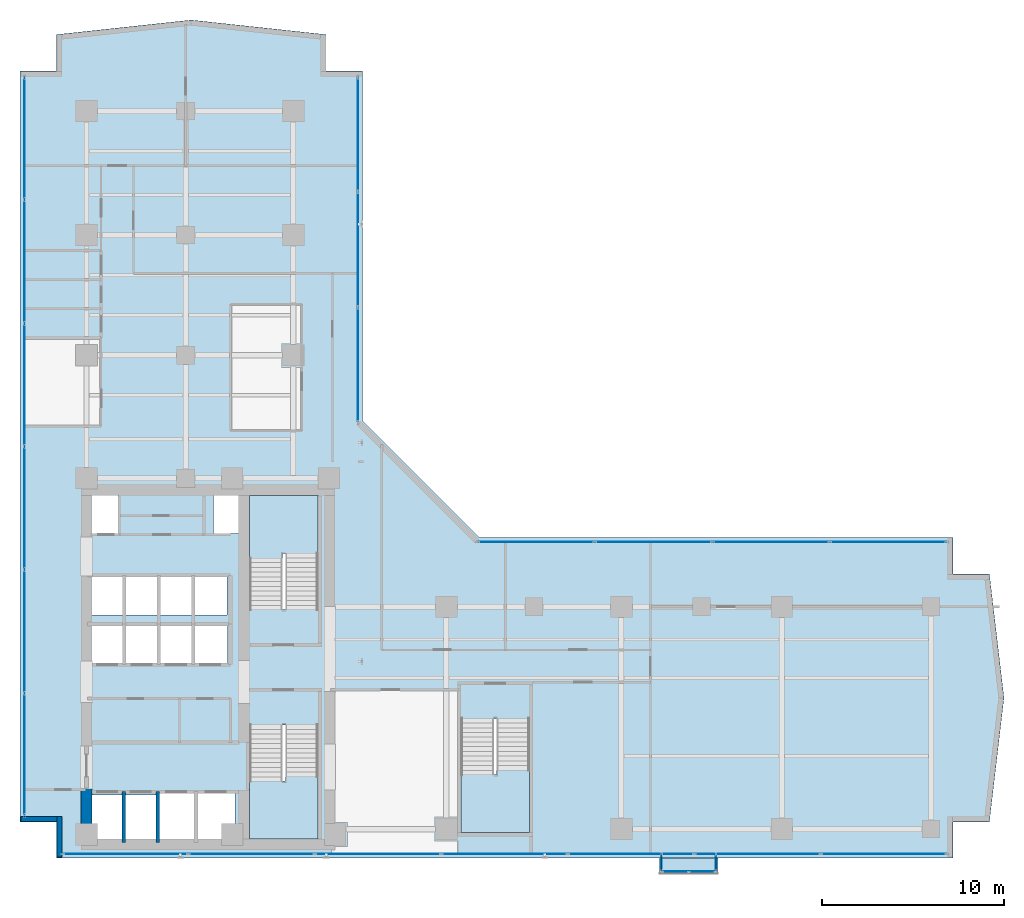
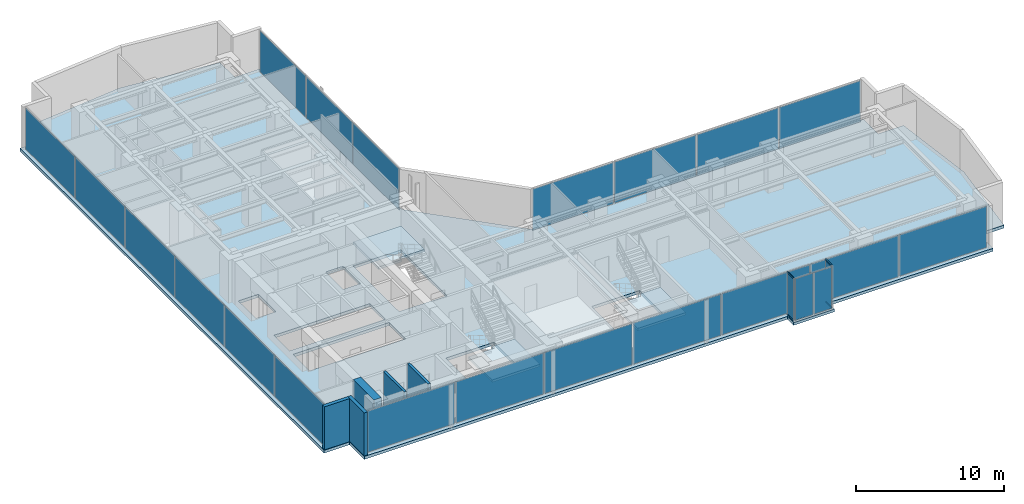
# One storey, part 18 of 26: 24 plates, 5 slabs, 5 walls, 4 members, 10 elements without a shape of their own.
"""IFC4 building model written with IfcOpenShell, lengths in metres."""

from ifc_helpers import new_model, si_unit, direction, frame, frame_2d, origin, origin_with_axes, origin_2d, place, context, subcontext, project, spatial, polyline, rectangle, hollow_rectangle, outline, extrude, source, transform, mapped, material, layer, layer_set, material_profile, profile_set, type_object, element, aggregate, save


model = new_model("IFC4")

# Units and contexts
model_context = context("Model", 3, precision=1e-05, world=origin(), true_north=direction((0.0, 1.0)))
body_context = subcontext(model_context, "Body", "Model", "MODEL_VIEW")
ifc_project = project(units=[si_unit("LENGTHUNIT", "METRE"), si_unit("AREAUNIT", "SQUARE_METRE"), si_unit("VOLUMEUNIT", "CUBIC_METRE"), si_unit("PLANEANGLEUNIT", "RADIAN"), si_unit("MASSUNIT", "GRAM", prefix="KILO")], contexts=[model_context])

# Site, building, storey
site_placement = place(None, origin())
site = spatial("IfcSite", under=ifc_project, at=site_placement, CompositionType="ELEMENT")
building_placement = place(site_placement, origin())
building = spatial("IfcBuilding", under=site, at=building_placement, Name="Kolvaren Waterfront Exchange", CompositionType="ELEMENT")
storey_placement = place(building_placement, frame((0.0, 0.0, 180.39990234375)))
storey = spatial("IfcBuildingStorey", under=building, at=storey_placement, Name="L46", CompositionType="ELEMENT", Elevation=180.39990234375)

# Curtain wall, members
ifc_material_1 = material(Name="Anodised bronze aluminium 6063-T6", Category="aluminium")
ifc_layer_1 = layer(ifc_material_1, 0.219970703125, Name="Anodised bronze aluminium 6063-T6")
ifc_layer_set_1 = layer_set([ifc_layer_1], Name="Anodised bronze aluminium 6063-T6")
curtain_wall_type_1 = type_object("IfcCurtainWallType", Name="ARC-CW-SYS3", PredefinedType="USERDEFINED", material=ifc_layer_set_1)
curtain_wall_1_placement = place(storey_placement, origin())
curtain_wall_1 = element("IfcCurtainWall", 1, at=curtain_wall_1_placement, inside=storey, type_object=curtain_wall_type_1, Name="L46 stick curtain wall CW3 (CW-L46-BOX-W)", ObjectType="STICK CURTAIN WALL", PredefinedType="USERDEFINED")
ifc_material_profile = material_profile(ifc_material_1, hollow_rectangle(XDim=0.06494140625, YDim=0.1298828125, WallThickness=0.00390625, at=origin_2d()), Name="ALU-TRN-130x65x4")
ifc_profile_set = profile_set([ifc_material_profile], Name="Anodised bronze aluminium 6063-T6")
member_type = type_object("IfcMemberType", Name="ARC-CWT-130", PredefinedType="USERDEFINED", material=ifc_profile_set)
shared_shape_1 = source(origin_with_axes(), body_context, "Body", "SweptSolid", [
    extrude(hollow_rectangle(XDim=0.06494140625, YDim=0.1298828125, WallThickness=0.00390625, at=origin_2d()), origin(), (0.0, 0.0, 1.0), 0.829833984375),
])
member_1_placement = place(storey_placement, frame((39.010009765625, 3.764892578125, 0.03271484375), z_axis=(0.0, -1.0, 0.0), x_axis=(1.0, 0.0, 0.0)))
member_1 = element("IfcMember", 2, at=member_1_placement, type_object=member_type, Name="CW3 transom 1.1", ObjectType="TRANSOM", PredefinedType="USERDEFINED", context=body_context, shape_type="MappedRepresentation", body=[
    mapped(shared_shape_1, transform((0.0, 0.0, 0.0), x_axis=(1.0, 0.0, 0.0), y_axis=(0.0, 1.0, 0.0), z_axis=(0.0, 0.0, 1.0), scale=1.0)),
])
member_2_placement = place(storey_placement, frame((39.010009765625, 3.764892578125, 3.527587890625), z_axis=(0.0, -1.0, 0.0), x_axis=(1.0, 0.0, 0.0)))
member_2 = element("IfcMember", 3, at=member_2_placement, type_object=member_type, Name="CW3 transom 1.2", ObjectType="TRANSOM", PredefinedType="USERDEFINED", context=body_context, shape_type="MappedRepresentation", body=[
    mapped(shared_shape_1, transform((0.0, 0.0, 0.0), x_axis=(1.0, 0.0, 0.0), y_axis=(0.0, 1.0, 0.0), z_axis=(0.0, 0.0, 1.0), scale=1.0)),
])

curtain_wall_2_placement = place(storey_placement, origin())
curtain_wall_2 = element("IfcCurtainWall", 4, at=curtain_wall_2_placement, inside=storey, type_object=curtain_wall_type_1, Name="L46 stick curtain wall CW3 (CW-L46-BOX-E)", ObjectType="STICK CURTAIN WALL", PredefinedType="USERDEFINED")
member_3_placement = place(storey_placement, frame((41.989990234375, 2.93505859375, 0.03271484375), z_axis=(0.0, 1.0, 0.0), x_axis=(-1.0, 0.0, 0.0)))
member_3 = element("IfcMember", 5, at=member_3_placement, type_object=member_type, Name="CW3 transom 1.1", ObjectType="TRANSOM", PredefinedType="USERDEFINED", context=body_context, shape_type="MappedRepresentation", body=[
    mapped(shared_shape_1, transform((0.0, 0.0, 0.0), x_axis=(1.0, 0.0, 0.0), y_axis=(0.0, 1.0, 0.0), z_axis=(0.0, 0.0, 1.0), scale=1.0)),
])
member_4_placement = place(storey_placement, frame((41.989990234375, 2.93505859375, 3.527587890625), z_axis=(0.0, 1.0, 0.0), x_axis=(-1.0, 0.0, 0.0)))
member_4 = element("IfcMember", 6, at=member_4_placement, type_object=member_type, Name="CW3 transom 1.2", ObjectType="TRANSOM", PredefinedType="USERDEFINED", context=body_context, shape_type="MappedRepresentation", body=[
    mapped(shared_shape_1, transform((0.0, 0.0, 0.0), x_axis=(1.0, 0.0, 0.0), y_axis=(0.0, 1.0, 0.0), z_axis=(0.0, 0.0, 1.0), scale=1.0)),
])

# Stair, slab
ifc_material_2 = material(Name="Concrete C40/50", Category="concrete")
stair_type = type_object("IfcStairType", Name="ARC-STAIR-3800", PredefinedType="HALF_TURN_STAIR", material=ifc_material_2)
stair_1_placement = place(storey_placement, origin())
stair_1 = element("IfcStair", 7, at=stair_1_placement, inside=storey, type_object=stair_type, Name="L46 Smoke-proof exit stair ST1", PredefinedType="HALF_TURN_STAIR")
ifc_layer_2 = layer(ifc_material_2, 0.199951171875, Name="Concrete C40/50")
ifc_layer_set_2 = layer_set([ifc_layer_2], Name="Concrete C40/50")
slab_type_1 = type_object("IfcSlabType", Name="STR-LANDING-200", PredefinedType="LANDING", material=ifc_layer_set_2)
slab_1_placement = place(storey_placement, frame((0.0, 0.0, 1.776123046875)))
slab_1 = element("IfcSlab", 8, at=slab_1_placement, type_object=slab_type_1, Name="ST1 landing 1", PredefinedType="LANDING", context=body_context, shape_type="SweptSolid", body=[
    extrude(outline(polyline([(16.39990234375, 7.840087890625), (16.39990234375, 4.64990234375), (20.159912109375, 4.64990234375), (20.159912109375, 8.10009765625), (18.360107421875, 8.10009765625), (18.360107421875, 7.840087890625), (16.39990234375, 7.840087890625)])), origin(), (0.0, 0.0, 1.0), 0.199951171875),
])
aggregate(stair_1, [slab_1])

stair_2_placement = place(storey_placement, origin())
stair_2 = element("IfcStair", 9, at=stair_2_placement, inside=storey, type_object=stair_type, Name="L46 Smoke-proof exit stair ST2", PredefinedType="HALF_TURN_STAIR")
slab_2_placement = place(storey_placement, frame((0.0, 0.0, 1.776123046875)))
slab_2 = element("IfcSlab", 10, at=slab_2_placement, type_object=slab_type_1, Name="ST2 landing 1", PredefinedType="LANDING", context=body_context, shape_type="SweptSolid", body=[
    extrude(outline(polyline([(20.159912109375, 20.31005859375), (20.159912109375, 23.5), (16.39990234375, 23.5), (16.39990234375, 20.050048828125), (18.199951171875, 20.050048828125), (18.199951171875, 20.31005859375), (20.159912109375, 20.31005859375)])), origin(), (0.0, 0.0, 1.0), 0.199951171875),
])
aggregate(stair_2, [slab_2])

stair_3_placement = place(storey_placement, origin())
stair_3 = element("IfcStair", 11, at=stair_3_placement, inside=storey, type_object=stair_type, Name="L46 Exit stair ST3", PredefinedType="HALF_TURN_STAIR")
slab_3_placement = place(storey_placement, frame((0.0, 0.0, 1.776123046875)))
slab_3 = element("IfcSlab", 12, at=slab_3_placement, type_object=slab_type_1, Name="ST3 landing 1", PredefinedType="LANDING", context=body_context, shape_type="SweptSolid", body=[
    extrude(outline(polyline([(28.0, 8.18994140625), (28.0, 5.0), (31.760009765625, 5.0), (31.760009765625, 8.449951171875), (29.9599609375, 8.449951171875), (29.9599609375, 8.18994140625), (28.0, 8.18994140625)])), origin(), (0.0, 0.0, 1.0), 0.199951171875),
])
aggregate(stair_3, [slab_3])

# Slabs
ifc_layer_3 = layer(ifc_material_2, 0.239990234375, Name="Concrete C40/50")
ifc_layer_set_3 = layer_set([ifc_layer_3], Name="Concrete C40/50")
slab_type_2 = type_object("IfcSlabType", Name="STR-SLAB-240", PredefinedType="FLOOR", material=ifc_layer_set_3)
slab_4_placement = place(storey_placement, frame((0.0, 0.0, -0.239990234375)))
element("IfcSlab", 13, at=slab_4_placement, inside=storey, type_object=slab_type_2, Name="L46 structural floor slab", PredefinedType="FLOOR", context=body_context, shape_type="SweptSolid", body=[
    extrude(outline(polyline([(5.800048828125, 3.60009765625), (55.0, 3.60009765625), (55.0, 5.60009765625), (57.0, 5.60009765625), (57.800048828125, 12.39990234375), (57.0, 19.199951171875), (55.0, 19.199951171875), (55.0, 21.199951171875), (29.0, 21.199951171875), (22.60009765625, 27.60009765625), (22.60009765625, 46.800048828125), (20.60009765625, 46.800048828125), (20.60009765625, 48.800048828125), (13.199951171875, 49.60009765625), (5.800048828125, 48.800048828125), (5.800048828125, 46.800048828125), (3.800048828125, 46.800048828125), (3.800048828125, 5.60009765625), (5.800048828125, 5.60009765625), (5.800048828125, 3.60009765625)]), holes=[polyline([(11.320068359375, 7.260009765625), (15.610107421875, 7.260009765625), (15.610107421875, 4.5400390625), (7.719970703125, 4.5400390625), (7.719970703125, 7.06005859375), (11.320068359375, 7.06005859375), (11.320068359375, 7.260009765625)]), polyline([(20.159912109375, 10.89990234375), (20.159912109375, 4.64990234375), (16.39990234375, 4.64990234375), (16.39990234375, 10.89990234375), (20.159912109375, 10.89990234375)]), polyline([(31.760009765625, 11.25), (31.760009765625, 5.0), (28.0, 5.0), (28.0, 11.25), (31.760009765625, 11.25)]), polyline([(15.18505859375, 14.239990234375), (7.64501953125, 14.239990234375), (7.64501953125, 16.4599609375), (15.18505859375, 16.4599609375), (15.18505859375, 14.239990234375)]), polyline([(15.159912109375, 16.93994140625), (7.669921875, 16.93994140625), (7.669921875, 19.06005859375), (15.159912109375, 19.06005859375), (15.159912109375, 16.93994140625)]), polyline([(16.39990234375, 23.5), (20.159912109375, 23.5), (20.159912109375, 17.25), (16.39990234375, 17.25), (16.39990234375, 23.5)]), polyline([(7.60009765625, 23.780029296875), (9.179931640625, 23.780029296875), (9.179931640625, 21.419921875), (7.60009765625, 21.419921875), (7.60009765625, 23.780029296875)]), polyline([(15.800048828125, 23.780029296875), (15.800048828125, 21.419921875), (14.419921875, 21.419921875), (14.419921875, 23.780029296875), (15.800048828125, 23.780029296875)])]), origin(), (0.0, 0.0, 1.0), 0.239990234375),
])
ifc_layer_4 = layer(ifc_material_2, 0.219970703125, Name="Concrete C40/50")
ifc_layer_set_4 = layer_set([ifc_layer_4], Name="Concrete C40/50")
slab_type_3 = type_object("IfcSlabType", Name="STR-TERR-220", PredefinedType="FLOOR", material=ifc_layer_set_4)
slab_5_placement = place(storey_placement, frame((0.0, 0.0, -0.219970703125)))
element("IfcSlab", 14, at=slab_5_placement, inside=storey, type_object=slab_type_3, Name="L46 projecting bay-box floor strip", PredefinedType="FLOOR", context=body_context, shape_type="SweptSolid", body=[
    extrude(outline(polyline([(38.89990234375, 2.75), (42.10009765625, 2.75), (42.10009765625, 3.60009765625), (38.89990234375, 3.60009765625), (38.89990234375, 2.75)])), origin(), (0.0, 0.0, 1.0), 0.219970703125),
])

# Plate
ifc_material_3 = material(Name="Bronze tinted bay-box vision glass", Category="aluminium")
ifc_layer_5 = layer(ifc_material_3, 0.02392578125, Name="Bronze tinted bay-box vision glass")
ifc_layer_set_5 = layer_set([ifc_layer_5], Name="Bronze tinted bay-box vision glass")
plate_type_1 = type_object("IfcPlateType", Name="ARC-CWP-24", PredefinedType="CURTAIN_PANEL", material=ifc_layer_set_5)
shared_shape_2 = source(origin_with_axes(), body_context, "Body", "SweptSolid", [
    extrude(rectangle(XDim=0.830078125, YDim=0.02392578125, at=origin_2d()), origin(), (0.0, 0.0, 1.0), 3.429931640625),
])
plate_1_placement = place(storey_placement, frame((39.010009765625, 3.35009765625, 0.06494140625), z_axis=(0.0, 0.0, 1.0), x_axis=(0.0, -1.0, 0.0)))
plate_1 = element("IfcPlate", 15, at=plate_1_placement, type_object=plate_type_1, Name="CW3 panel 1.1", PredefinedType="CURTAIN_PANEL", context=body_context, shape_type="MappedRepresentation", body=[
    mapped(shared_shape_2, transform((0.0, 0.0, 0.0), x_axis=(1.0, 0.0, 0.0), y_axis=(0.0, 1.0, 0.0), z_axis=(0.0, 0.0, 1.0), scale=1.0)),
])

aggregate(curtain_wall_1, [member_1, member_2, plate_1])

plate_2_placement = place(storey_placement, frame((41.989990234375, 3.35009765625, 0.06494140625), z_axis=(0.0, 0.0, 1.0), x_axis=(0.0, 1.0, 0.0)))
plate_2 = element("IfcPlate", 16, at=plate_2_placement, type_object=plate_type_1, Name="CW3 panel 1.1", PredefinedType="CURTAIN_PANEL", context=body_context, shape_type="MappedRepresentation", body=[
    mapped(shared_shape_2, transform((0.0, 0.0, 0.0), x_axis=(1.0, 0.0, 0.0), y_axis=(0.0, 1.0, 0.0), z_axis=(0.0, 0.0, 1.0), scale=1.0)),
])

aggregate(curtain_wall_2, [member_3, member_4, plate_2])

# Curtain wall, plates
curtain_wall_3_placement = place(storey_placement, origin())
curtain_wall_3 = element("IfcCurtainWall", 17, at=curtain_wall_3_placement, inside=storey, type_object=curtain_wall_type_1, Name="L46 stick curtain wall CW3 (CW-L46-BOX)", ObjectType="STICK CURTAIN WALL", PredefinedType="USERDEFINED")
shared_shape_3 = source(origin_with_axes(), body_context, "Body", "SweptSolid", [
    extrude(rectangle(XDim=1.37744140625, YDim=0.02392578125, at=origin_2d()), origin(), (0.0, 0.0, 1.0), 3.429931640625),
])
plate_3_placement = place(storey_placement, frame((39.773681640625, 2.860107421875, 0.06494140625), z_axis=(0.0, 0.0, 1.0), x_axis=(1.0, 0.0, 0.0)))
plate_3 = element("IfcPlate", 18, at=plate_3_placement, type_object=plate_type_1, Name="CW3 panel 1.1", PredefinedType="CURTAIN_PANEL", context=body_context, shape_type="MappedRepresentation", body=[
    mapped(shared_shape_3, transform((0.0, 0.0, 0.0), x_axis=(1.0, 0.0, 0.0), y_axis=(0.0, 1.0, 0.0), z_axis=(0.0, 0.0, 1.0), scale=1.0)),
])
plate_4_placement = place(storey_placement, frame((41.226318359375, 2.860107421875, 0.06494140625), z_axis=(0.0, 0.0, 1.0), x_axis=(1.0, 0.0, 0.0)))
plate_4 = element("IfcPlate", 19, at=plate_4_placement, type_object=plate_type_1, Name="CW3 panel 2.1", PredefinedType="CURTAIN_PANEL", context=body_context, shape_type="MappedRepresentation", body=[
    mapped(shared_shape_3, transform((0.0, 0.0, 0.0), x_axis=(1.0, 0.0, 0.0), y_axis=(0.0, 1.0, 0.0), z_axis=(0.0, 0.0, 1.0), scale=1.0)),
])
aggregate(curtain_wall_3, [plate_3, plate_4])

ifc_layer_6 = layer(ifc_material_1, 0.219970703125, Name="Anodised bronze aluminium 6063-T6")
ifc_layer_set_6 = layer_set([ifc_layer_6], Name="Anodised bronze aluminium 6063-T6")
curtain_wall_type_2 = type_object("IfcCurtainWallType", Name="ARC-CW-SYS1", PredefinedType="USERDEFINED", material=ifc_layer_set_6)
curtain_wall_4_placement = place(storey_placement, origin())
curtain_wall_4 = element("IfcCurtainWall", 20, at=curtain_wall_4_placement, inside=storey, type_object=curtain_wall_type_2, Name="L46 stick curtain wall CW1 (CW-L46-S)", ObjectType="STICK CURTAIN WALL", PredefinedType="USERDEFINED")
ifc_material_4 = material(Name="Bronze solar control vision glass", Category="aluminium")
ifc_layer_7 = layer(ifc_material_4, 0.028076171875, Name="Bronze solar control vision glass")
ifc_layer_set_7 = layer_set([ifc_layer_7], Name="Bronze solar control vision glass")
plate_type_2 = type_object("IfcPlateType", Name="ARC-CWP-28", PredefinedType="CURTAIN_PANEL", material=ifc_layer_set_7)
shared_shape_4 = source(origin_with_axes(), body_context, "Body", "SweptSolid", [
    extrude(rectangle(XDim=6.82275390625, YDim=0.028076171875, at=origin_2d()), origin(), (0.0, 0.0, 1.0), 3.409912109375),
])
plate_5_placement = place(storey_placement, frame((9.59130859375, 3.840087890625, 0.0751953125), z_axis=(0.0, 0.0, 1.0), x_axis=(1.0, 0.0, 0.0)))
plate_5 = element("IfcPlate", 21, at=plate_5_placement, type_object=plate_type_2, Name="CW1 panel 1.1", PredefinedType="CURTAIN_PANEL", context=body_context, shape_type="MappedRepresentation", body=[
    mapped(shared_shape_4, transform((0.0, 0.0, 0.0), x_axis=(1.0, 0.0, 0.0), y_axis=(0.0, 1.0, 0.0), z_axis=(0.0, 0.0, 1.0), scale=1.0)),
])
plate_6_placement = place(storey_placement, frame((51.20849609375, 3.840087890625, 0.0751953125), z_axis=(0.0, 0.0, 1.0), x_axis=(1.0, 0.0, 0.0)))
plate_6 = element("IfcPlate", 22, at=plate_6_placement, type_object=plate_type_2, Name="CW1 panel 7.1", PredefinedType="CURTAIN_PANEL", context=body_context, shape_type="MappedRepresentation", body=[
    mapped(shared_shape_4, transform((0.0, 0.0, 0.0), x_axis=(1.0, 0.0, 0.0), y_axis=(0.0, 1.0, 0.0), z_axis=(0.0, 0.0, 1.0), scale=1.0)),
])
shared_shape_5 = source(origin_with_axes(), body_context, "Body", "SweptSolid", [
    extrude(rectangle(XDim=6.86279296875, YDim=0.028076171875, at=origin_2d()), origin(), (0.0, 0.0, 1.0), 3.409912109375),
])
plate_7_placement = place(storey_placement, frame((16.514404296875, 3.840087890625, 0.0751953125), z_axis=(0.0, 0.0, 1.0), x_axis=(1.0, 0.0, 0.0)))
plate_7 = element("IfcPlate", 23, at=plate_7_placement, type_object=plate_type_2, Name="CW1 panel 2.1", PredefinedType="CURTAIN_PANEL", context=body_context, shape_type="MappedRepresentation", body=[
    mapped(shared_shape_5, transform((0.0, 0.0, 0.0), x_axis=(1.0, 0.0, 0.0), y_axis=(0.0, 1.0, 0.0), z_axis=(0.0, 0.0, 1.0), scale=1.0)),
])
plate_8_placement = place(storey_placement, frame((23.45703125, 3.840087890625, 0.0751953125), z_axis=(0.0, 0.0, 1.0), x_axis=(1.0, 0.0, 0.0)))
plate_8 = element("IfcPlate", 24, at=plate_8_placement, type_object=plate_type_2, Name="CW1 panel 3.1", PredefinedType="CURTAIN_PANEL", context=body_context, shape_type="MappedRepresentation", body=[
    mapped(shared_shape_5, transform((0.0, 0.0, 0.0), x_axis=(1.0, 0.0, 0.0), y_axis=(0.0, 1.0, 0.0), z_axis=(0.0, 0.0, 1.0), scale=1.0)),
])
plate_9_placement = place(storey_placement, frame((30.39990234375, 3.840087890625, 0.0751953125), z_axis=(0.0, 0.0, 1.0), x_axis=(1.0, 0.0, 0.0)))
plate_9 = element("IfcPlate", 25, at=plate_9_placement, type_object=plate_type_2, Name="CW1 panel 4.1", PredefinedType="CURTAIN_PANEL", context=body_context, shape_type="MappedRepresentation", body=[
    mapped(shared_shape_5, transform((0.0, 0.0, 0.0), x_axis=(1.0, 0.0, 0.0), y_axis=(0.0, 1.0, 0.0), z_axis=(0.0, 0.0, 1.0), scale=1.0)),
])
plate_10_placement = place(storey_placement, frame((37.3427734375, 3.840087890625, 0.0751953125), z_axis=(0.0, 0.0, 1.0), x_axis=(1.0, 0.0, 0.0)))
plate_10 = element("IfcPlate", 26, at=plate_10_placement, type_object=plate_type_2, Name="CW1 panel 5.1", PredefinedType="CURTAIN_PANEL", context=body_context, shape_type="MappedRepresentation", body=[
    mapped(shared_shape_5, transform((0.0, 0.0, 0.0), x_axis=(1.0, 0.0, 0.0), y_axis=(0.0, 1.0, 0.0), z_axis=(0.0, 0.0, 1.0), scale=1.0)),
])
plate_11_placement = place(storey_placement, frame((44.28564453125, 3.840087890625, 0.0751953125), z_axis=(0.0, 0.0, 1.0), x_axis=(1.0, 0.0, 0.0)))
plate_11 = element("IfcPlate", 27, at=plate_11_placement, type_object=plate_type_2, Name="CW1 panel 6.1", PredefinedType="CURTAIN_PANEL", context=body_context, shape_type="MappedRepresentation", body=[
    mapped(shared_shape_5, transform((0.0, 0.0, 0.0), x_axis=(1.0, 0.0, 0.0), y_axis=(0.0, 1.0, 0.0), z_axis=(0.0, 0.0, 1.0), scale=1.0)),
])
aggregate(curtain_wall_4, [plate_5, plate_7, plate_8, plate_9, plate_10, plate_11, plate_6])

curtain_wall_5_placement = place(storey_placement, origin())
curtain_wall_5 = element("IfcCurtainWall", 28, at=curtain_wall_5_placement, inside=storey, type_object=curtain_wall_type_2, Name="L46 stick curtain wall CW1 (CW-L46-NE)", ObjectType="STICK CURTAIN WALL", PredefinedType="USERDEFINED")
shared_shape_6 = source(origin_with_axes(), body_context, "Body", "SweptSolid", [
    extrude(rectangle(XDim=6.216552734375, YDim=0.028076171875, at=origin_2d()), origin(), (0.0, 0.0, 1.0), 3.409912109375),
])
plate_12_placement = place(storey_placement, frame((22.360107421875, 30.67822265625, 0.0751953125), z_axis=(0.0, 0.0, 1.0), x_axis=(0.0, 1.0, 0.0)))
plate_12 = element("IfcPlate", 29, at=plate_12_placement, type_object=plate_type_2, Name="CW1 panel 1.1", PredefinedType="CURTAIN_PANEL", context=body_context, shape_type="MappedRepresentation", body=[
    mapped(shared_shape_6, transform((0.0, 0.0, 0.0), x_axis=(1.0, 0.0, 0.0), y_axis=(0.0, 1.0, 0.0), z_axis=(0.0, 0.0, 1.0), scale=1.0)),
])
plate_13_placement = place(storey_placement, frame((22.360107421875, 43.311767578125, 0.0751953125), z_axis=(0.0, 0.0, 1.0), x_axis=(0.0, 1.0, 0.0)))
plate_13 = element("IfcPlate", 30, at=plate_13_placement, type_object=plate_type_2, Name="CW1 panel 3.1", PredefinedType="CURTAIN_PANEL", context=body_context, shape_type="MappedRepresentation", body=[
    mapped(shared_shape_6, transform((0.0, 0.0, 0.0), x_axis=(1.0, 0.0, 0.0), y_axis=(0.0, 1.0, 0.0), z_axis=(0.0, 0.0, 1.0), scale=1.0)),
])
shared_shape_7 = source(origin_with_axes(), body_context, "Body", "SweptSolid", [
    extrude(rectangle(XDim=6.256591796875, YDim=0.028076171875, at=origin_2d()), origin(), (0.0, 0.0, 1.0), 3.409912109375),
])
plate_14_placement = place(storey_placement, frame((22.360107421875, 36.9951171875, 0.0751953125), z_axis=(0.0, 0.0, 1.0), x_axis=(0.0, 1.0, 0.0)))
plate_14 = element("IfcPlate", 31, at=plate_14_placement, type_object=plate_type_2, Name="CW1 panel 2.1", PredefinedType="CURTAIN_PANEL", context=body_context, shape_type="MappedRepresentation", body=[
    mapped(shared_shape_7, transform((0.0, 0.0, 0.0), x_axis=(1.0, 0.0, 0.0), y_axis=(0.0, 1.0, 0.0), z_axis=(0.0, 0.0, 1.0), scale=1.0)),
])
aggregate(curtain_wall_5, [plate_12, plate_14, plate_13])

curtain_wall_6_placement = place(storey_placement, origin())
curtain_wall_6 = element("IfcCurtainWall", 32, at=curtain_wall_6_placement, inside=storey, type_object=curtain_wall_type_2, Name="L46 stick curtain wall CW1 (CW-L46-EN)", ObjectType="STICK CURTAIN WALL", PredefinedType="USERDEFINED")
shared_shape_8 = source(origin_with_axes(), body_context, "Body", "SweptSolid", [
    extrude(rectangle(XDim=6.33251953125, YDim=0.028076171875, at=origin_2d()), origin(), (0.0, 0.0, 1.0), 3.409912109375),
])
plate_15_placement = place(storey_placement, frame((32.13623046875, 20.9599609375, 0.0751953125), z_axis=(0.0, 0.0, 1.0), x_axis=(1.0, 0.0, 0.0)))
plate_15 = element("IfcPlate", 33, at=plate_15_placement, type_object=plate_type_2, Name="CW1 panel 1.1", PredefinedType="CURTAIN_PANEL", context=body_context, shape_type="MappedRepresentation", body=[
    mapped(shared_shape_8, transform((0.0, 0.0, 0.0), x_axis=(1.0, 0.0, 0.0), y_axis=(0.0, 1.0, 0.0), z_axis=(0.0, 0.0, 1.0), scale=1.0)),
])
plate_16_placement = place(storey_placement, frame((51.453857421875, 20.9599609375, 0.0751953125), z_axis=(0.0, 0.0, 1.0), x_axis=(1.0, 0.0, 0.0)))
plate_16 = element("IfcPlate", 34, at=plate_16_placement, type_object=plate_type_2, Name="CW1 panel 4.1", PredefinedType="CURTAIN_PANEL", context=body_context, shape_type="MappedRepresentation", body=[
    mapped(shared_shape_8, transform((0.0, 0.0, 0.0), x_axis=(1.0, 0.0, 0.0), y_axis=(0.0, 1.0, 0.0), z_axis=(0.0, 0.0, 1.0), scale=1.0)),
])
shared_shape_9 = source(origin_with_axes(), body_context, "Body", "SweptSolid", [
    extrude(rectangle(XDim=6.37255859375, YDim=0.028076171875, at=origin_2d()), origin(), (0.0, 0.0, 1.0), 3.409912109375),
])
plate_17_placement = place(storey_placement, frame((38.56884765625, 20.9599609375, 0.0751953125), z_axis=(0.0, 0.0, 1.0), x_axis=(1.0, 0.0, 0.0)))
plate_17 = element("IfcPlate", 35, at=plate_17_placement, type_object=plate_type_2, Name="CW1 panel 2.1", PredefinedType="CURTAIN_PANEL", context=body_context, shape_type="MappedRepresentation", body=[
    mapped(shared_shape_9, transform((0.0, 0.0, 0.0), x_axis=(1.0, 0.0, 0.0), y_axis=(0.0, 1.0, 0.0), z_axis=(0.0, 0.0, 1.0), scale=1.0)),
])
plate_18_placement = place(storey_placement, frame((45.021240234375, 20.9599609375, 0.0751953125), z_axis=(0.0, 0.0, 1.0), x_axis=(1.0, 0.0, 0.0)))
plate_18 = element("IfcPlate", 36, at=plate_18_placement, type_object=plate_type_2, Name="CW1 panel 3.1", PredefinedType="CURTAIN_PANEL", context=body_context, shape_type="MappedRepresentation", body=[
    mapped(shared_shape_9, transform((0.0, 0.0, 0.0), x_axis=(1.0, 0.0, 0.0), y_axis=(0.0, 1.0, 0.0), z_axis=(0.0, 0.0, 1.0), scale=1.0)),
])
aggregate(curtain_wall_6, [plate_15, plate_17, plate_18, plate_16])

ifc_material_5 = material(Name="Anodised aluminium 6063-T6", Category="aluminium")
ifc_layer_8 = layer(ifc_material_5, 0.219970703125, Name="Anodised aluminium 6063-T6")
ifc_layer_set_8 = layer_set([ifc_layer_8], Name="Anodised aluminium 6063-T6")
curtain_wall_type_3 = type_object("IfcCurtainWallType", Name="ARC-CW-SYS2", PredefinedType="USERDEFINED", material=ifc_layer_set_8)
curtain_wall_7_placement = place(storey_placement, origin())
curtain_wall_7 = element("IfcCurtainWall", 37, at=curtain_wall_7_placement, inside=storey, type_object=curtain_wall_type_3, Name="L46 stick curtain wall CW2 (CW-L46-W)", ObjectType="STICK CURTAIN WALL", PredefinedType="USERDEFINED")
ifc_material_6 = material(Name="Acoustic laminated vision glass", Category="glass")
ifc_layer_9 = layer(ifc_material_6, 0.031982421875, Name="Acoustic laminated vision glass")
ifc_layer_set_9 = layer_set([ifc_layer_9], Name="Acoustic laminated vision glass")
plate_type_3 = type_object("IfcPlateType", Name="ARC-CWP-32", PredefinedType="CURTAIN_PANEL", material=ifc_layer_set_9)
shared_shape_10 = source(origin_with_axes(), body_context, "Body", "SweptSolid", [
    extrude(rectangle(XDim=6.646728515625, YDim=0.031982421875, at=origin_2d()), origin(), (0.0, 0.0, 1.0), 3.409912109375),
])
plate_19_placement = place(storey_placement, frame((4.0400390625, 9.30322265625, 0.0751953125), z_axis=(0.0, 0.0, 1.0), x_axis=(0.0, 1.0, 0.0)))
plate_19 = element("IfcPlate", 38, at=plate_19_placement, type_object=plate_type_3, Name="CW2 panel 1.1", PredefinedType="CURTAIN_PANEL", context=body_context, shape_type="MappedRepresentation", body=[
    mapped(shared_shape_10, transform((0.0, 0.0, 0.0), x_axis=(1.0, 0.0, 0.0), y_axis=(0.0, 1.0, 0.0), z_axis=(0.0, 0.0, 1.0), scale=1.0)),
])
plate_20_placement = place(storey_placement, frame((4.0400390625, 43.0966796875, 0.0751953125), z_axis=(0.0, 0.0, 1.0), x_axis=(0.0, 1.0, 0.0)))
plate_20 = element("IfcPlate", 39, at=plate_20_placement, type_object=plate_type_3, Name="CW2 panel 6.1", PredefinedType="CURTAIN_PANEL", context=body_context, shape_type="MappedRepresentation", body=[
    mapped(shared_shape_10, transform((0.0, 0.0, 0.0), x_axis=(1.0, 0.0, 0.0), y_axis=(0.0, 1.0, 0.0), z_axis=(0.0, 0.0, 1.0), scale=1.0)),
])
shared_shape_11 = source(origin_with_axes(), body_context, "Body", "SweptSolid", [
    extrude(rectangle(XDim=6.686767578125, YDim=0.031982421875, at=origin_2d()), origin(), (0.0, 0.0, 1.0), 3.409912109375),
])
plate_21_placement = place(storey_placement, frame((4.0400390625, 16.050048828125, 0.0751953125), z_axis=(0.0, 0.0, 1.0), x_axis=(0.0, 1.0, 0.0)))
plate_21 = element("IfcPlate", 40, at=plate_21_placement, type_object=plate_type_3, Name="CW2 panel 2.1", PredefinedType="CURTAIN_PANEL", context=body_context, shape_type="MappedRepresentation", body=[
    mapped(shared_shape_11, transform((0.0, 0.0, 0.0), x_axis=(1.0, 0.0, 0.0), y_axis=(0.0, 1.0, 0.0), z_axis=(0.0, 0.0, 1.0), scale=1.0)),
])
plate_22_placement = place(storey_placement, frame((4.0400390625, 22.816650390625, 0.0751953125), z_axis=(0.0, 0.0, 1.0), x_axis=(0.0, 1.0, 0.0)))
plate_22 = element("IfcPlate", 41, at=plate_22_placement, type_object=plate_type_3, Name="CW2 panel 3.1", PredefinedType="CURTAIN_PANEL", context=body_context, shape_type="MappedRepresentation", body=[
    mapped(shared_shape_11, transform((0.0, 0.0, 0.0), x_axis=(1.0, 0.0, 0.0), y_axis=(0.0, 1.0, 0.0), z_axis=(0.0, 0.0, 1.0), scale=1.0)),
])
plate_23_placement = place(storey_placement, frame((4.0400390625, 29.583251953125, 0.0751953125), z_axis=(0.0, 0.0, 1.0), x_axis=(0.0, 1.0, 0.0)))
plate_23 = element("IfcPlate", 42, at=plate_23_placement, type_object=plate_type_3, Name="CW2 panel 4.1", PredefinedType="CURTAIN_PANEL", context=body_context, shape_type="MappedRepresentation", body=[
    mapped(shared_shape_11, transform((0.0, 0.0, 0.0), x_axis=(1.0, 0.0, 0.0), y_axis=(0.0, 1.0, 0.0), z_axis=(0.0, 0.0, 1.0), scale=1.0)),
])
plate_24_placement = place(storey_placement, frame((4.0400390625, 36.35009765625, 0.0751953125), z_axis=(0.0, 0.0, 1.0), x_axis=(0.0, 1.0, 0.0)))
plate_24 = element("IfcPlate", 43, at=plate_24_placement, type_object=plate_type_3, Name="CW2 panel 5.1", PredefinedType="CURTAIN_PANEL", context=body_context, shape_type="MappedRepresentation", body=[
    mapped(shared_shape_11, transform((0.0, 0.0, 0.0), x_axis=(1.0, 0.0, 0.0), y_axis=(0.0, 1.0, 0.0), z_axis=(0.0, 0.0, 1.0), scale=1.0)),
])
aggregate(curtain_wall_7, [plate_19, plate_21, plate_22, plate_23, plate_24, plate_20])

# Walls
ifc_material_7 = material(Name="Precast concrete C40/50", Category="concrete")
ifc_layer_10 = layer(ifc_material_7, 0.280029296875, Name="Precast concrete C40/50")
ifc_layer_set_10 = layer_set([ifc_layer_10], Name="Precast concrete C40/50")
wall_type_1 = type_object("IfcWallType", Name="ARC-EXT-TERR-280", PredefinedType="SOLIDWALL", material=ifc_layer_set_10)
wall_1_placement = place(storey_placement, frame((5.9599609375, 3.659912109375, 0.0), z_axis=(0.0, 0.0, 1.0), x_axis=(0.0, 1.0, 0.0)))
element("IfcWall", 44, at=wall_1_placement, inside=storey, type_object=wall_type_1, Name="L46 notched corner spandrel pier SW-A", PredefinedType="SOLIDWALL", context=body_context, shape_type="SweptSolid", body=[
    extrude(rectangle(XDim=2.239990234375, YDim=0.280029296875, at=frame_2d((1.1201171875, 0.0))), origin(), (0.0, 0.0, 1.0), 3.56005859375),
])
wall_2_placement = place(storey_placement, frame((3.860107421875, 5.760009765625, 0.0), z_axis=(0.0, 0.0, 1.0), x_axis=(1.0, 0.0, 0.0)))
element("IfcWall", 45, at=wall_2_placement, inside=storey, type_object=wall_type_1, Name="L46 notched corner spandrel pier SW-B", PredefinedType="SOLIDWALL", context=body_context, shape_type="SweptSolid", body=[
    extrude(rectangle(XDim=1.9599609375, YDim=0.280029296875, at=frame_2d((0.97998046875, 0.0))), origin(), (0.0, 0.0, 1.0), 3.56005859375),
])
ifc_layer_11 = layer(ifc_material_2, 0.199951171875, Name="Concrete C40/50")
ifc_layer_set_11 = layer_set([ifc_layer_11], Name="Concrete C40/50")
wall_type_2 = type_object("IfcWallType", Name="ARC-SHAFT-200", PredefinedType="PARTITIONING", material=ifc_layer_set_11)
for number, where, z_axis, x_axis, name in (
    (46, (9.5, 4.449951171875, 0.0), (0.0, 0.0, 1.0), (0.0, 1.0, 0.0), "L46 interior wall PW-L46-SH1-DIV-95"),
    (47, (11.360107421875, 4.449951171875, 0.0), (0.0, 0.0, 1.0), (0.0, 1.0, 0.0), "L46 interior wall PW-L46-SH1-DIV-113"),
):
    element("IfcWall", number, at=place(storey_placement, frame(where, z_axis=z_axis, x_axis=x_axis)), inside=storey, type_object=wall_type_2, Name=name, PredefinedType="PARTITIONING", context=body_context, shape_type="SweptSolid", body=[
        extrude(rectangle(XDim=2.800048828125, YDim=0.199951171875, at=frame_2d((1.39990234375, 0.0))), origin(), (0.0, 0.0, 1.0), 3.56005859375),
    ])
ifc_material_8 = material(Name="Concrete C60/75", Category="concrete")
ifc_layer_12 = layer(ifc_material_8, 0.60009765625, Name="Concrete C60/75")
ifc_layer_set_12 = layer_set([ifc_layer_12], Name="Concrete C60/75")
wall_type_3 = type_object("IfcWallType", Name="STR-CWALL-600", PredefinedType="SHEAR", material=ifc_layer_set_12)
wall_3_placement = place(storey_placement, frame((7.449951171875, 4.64990234375, 0.0), z_axis=(0.0, 0.0, 1.0), x_axis=(0.0, 1.0, 0.0)))
element("IfcWall", 48, at=wall_3_placement, inside=storey, type_object=wall_type_3, Name="L46 rear-core shear wall W1", PredefinedType="SHEAR", context=body_context, shape_type="SweptSolid", body=[
    extrude(rectangle(XDim=2.800048828125, YDim=0.60009765625, at=frame_2d((1.39990234375, 0.0))), origin(), (0.0, 0.0, 1.0), 3.56005859375),
])

save(model, "model.ifc")
